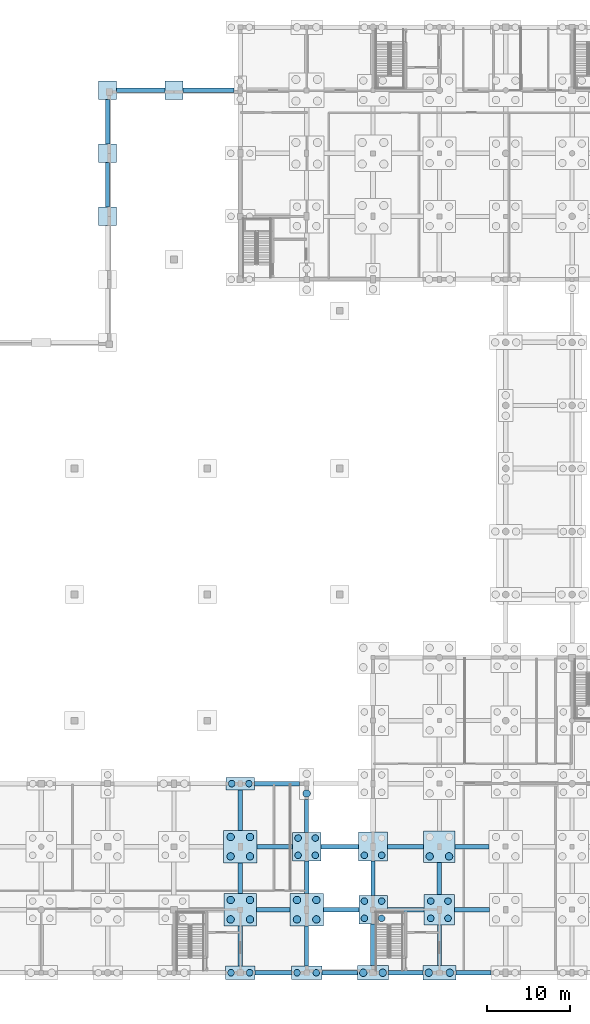
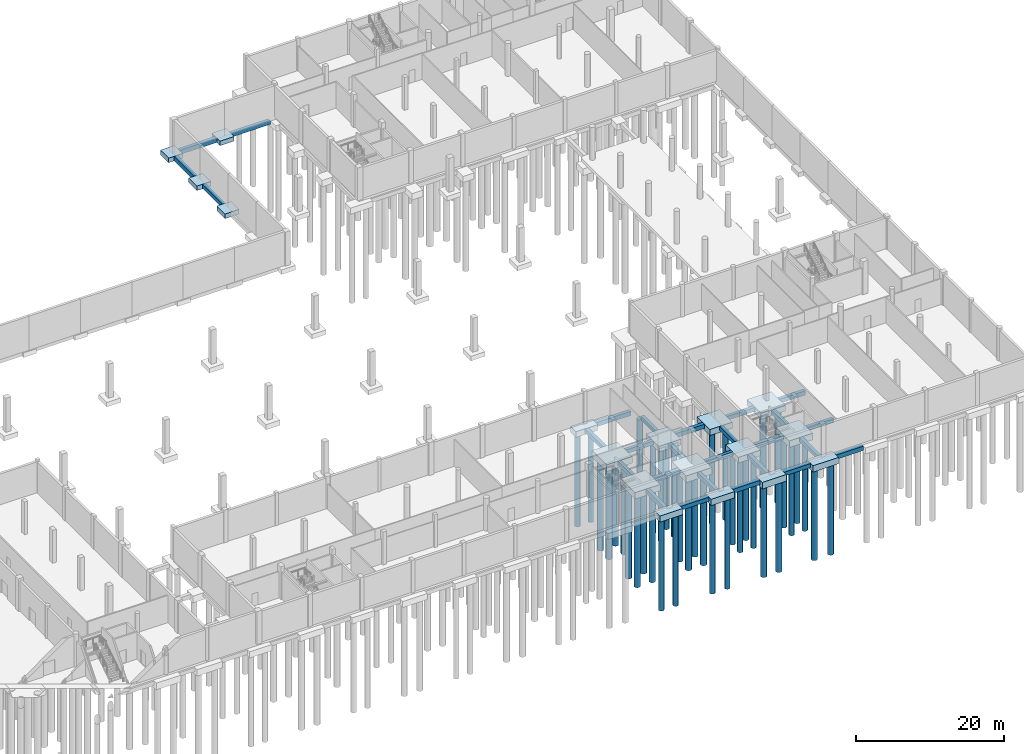
# One storey, part 11 of 44: 44 footings, 39 piles.
"""IFC4 building model written with IfcOpenShell, lengths in metres."""

import ifcopenshell
import ifcopenshell.guid

model = None  # the IFC model being written
_history = None  # IfcOwnerHistory: only IFC2X3 demands one
_inside = {}  # id of a spatial element -> (the spatial element, [elements in it])
_under = {}  # id of a project, library or spatial element -> (it, [spatial elements below it])
_declared = {}  # id of a project -> (the project, [libraries it declares])
_typed = {}  # id of a type object -> (the type object, [elements of that type])
_made_of = {}  # id of a material, layer set ... -> (it, [elements and type objects made of it])


def new_model(schema):
    """Start an empty IFC model of exactly this schema.

    Asked for "IFC4X3", IfcOpenShell would pick the latest addendum, in which some entities
    have other attributes; the version numbers below select the first issue.
    IFC2X3 requires an IfcOwnerHistory on every rooted entity: one is made here for all.
    """
    global model, _history
    if schema == "IFC4X3":
        model = ifcopenshell.file(schema_version=(4, 3, 0, 0))
    else:
        model = ifcopenshell.file(schema=schema)
    _inside.clear()
    _under.clear()
    _declared.clear()
    _typed.clear()
    _made_of.clear()
    _history = None
    if model.schema == "IFC2X3":
        org = make("IfcOrganization", Name="unknown")
        user = make(
            "IfcPersonAndOrganization",
            ThePerson=make("IfcPerson", FamilyName="unknown"),
            TheOrganization=org,
        )
        app = make(
            "IfcApplication",
            ApplicationDeveloper=org,
            Version="unknown",
            ApplicationFullName="unknown",
            ApplicationIdentifier="unknown",
        )
        _history = make(
            "IfcOwnerHistory",
            OwningUser=user,
            OwningApplication=app,
            ChangeAction="ADDED",
            CreationDate=0,
        )
    return model


def make(cls, **values):
    """One entity of the class cls with the attributes given. An attribute that is None is left unset."""
    return model.create_entity(
        cls, **{name: value for name, value in values.items() if value is not None}
    )


def rooted(cls, **values):
    """An entity with a GlobalId (a new one), such as an element, a storey or a relation."""
    return make(cls, GlobalId=ifcopenshell.guid.new(), OwnerHistory=_history, **values)


def si_unit(unit_type, name, prefix=None):
    """IfcSIUnit, for example si_unit("LENGTHUNIT", "METRE", prefix="MILLI")."""
    return make("IfcSIUnit", UnitType=unit_type, Prefix=prefix, Name=name)


def assignment(units):
    """IfcUnitAssignment: the units of a project."""
    return None if units is None else make("IfcUnitAssignment", Units=units)


def point(xyz):
    """IfcCartesianPoint."""
    return None if xyz is None else make("IfcCartesianPoint", Coordinates=xyz)


def direction(xyz):
    """IfcDirection."""
    return None if xyz is None else make("IfcDirection", DirectionRatios=xyz)


def frame(location, z_axis=None, x_axis=None):
    """IfcAxis2Placement3D, a coordinate frame: its origin and axes. An axis left out is left unset."""
    return make(
        "IfcAxis2Placement3D",
        Location=point(location),
        Axis=direction(z_axis),
        RefDirection=direction(x_axis),
    )


def frame_2d(location, x_axis=None):
    """IfcAxis2Placement2D, a coordinate frame in the plane: its origin and x axis."""
    return make(
        "IfcAxis2Placement2D", Location=point(location), RefDirection=direction(x_axis)
    )


def origin():
    """The frame at (0, 0, 0) with its axes left unset."""
    return frame((0.0, 0.0, 0.0))


def origin_2d():
    """The frame at (0, 0) in the plane with its x axis left unset."""
    return frame_2d((0.0, 0.0))


def place(relative_to, where):
    """IfcLocalPlacement: puts the frame where relative to a parent placement (None: the world)."""
    return make(
        "IfcLocalPlacement", PlacementRelTo=relative_to, RelativePlacement=where
    )


def context(
    kind, dimensions, precision=None, world=None, true_north=None, identifier=None
):
    """IfcGeometricRepresentationContext, for example the 3D "Model" context."""
    return make(
        "IfcGeometricRepresentationContext",
        ContextIdentifier=identifier,
        ContextType=kind,
        CoordinateSpaceDimension=dimensions,
        Precision=precision,
        WorldCoordinateSystem=world,
        TrueNorth=true_north,
    )


def subcontext(parent, identifier, kind, view, scale=None):
    """IfcGeometricRepresentationSubContext, for example "Body" below "Model"."""
    return make(
        "IfcGeometricRepresentationSubContext",
        ContextIdentifier=identifier,
        ContextType=kind,
        ParentContext=parent,
        TargetScale=scale,
        TargetView=view,
    )


def project(units=None, contexts=None):
    """IfcProject with its units and contexts."""
    return rooted(
        "IfcProject",
        Name="project",
        RepresentationContexts=contexts,
        UnitsInContext=assignment(units),
    )


def spatial(cls, under=None, at=None, **own):
    """A site, building, storey or space (cls), placed at a placement, below another one or the project."""
    s = rooted(cls, ObjectPlacement=at, **own)
    if under is not None:
        _under.setdefault(under.id(), (under, []))[1].append(s)
    return s


def polyline(points):
    """IfcPolyline through the points."""
    return make("IfcPolyline", Points=[point(p) for p in points])


def profile(cls, at=None, kind="AREA", **sizes):
    """A parametric profile (cls). Its sizes go by their IFC names, for example OverallWidth=200.0."""
    return make(cls, ProfileType=kind, Position=at, **sizes)


def circle(**sizes):
    """IfcCircleProfileDef."""
    return profile("IfcCircleProfileDef", **sizes)


def outline(outer, holes=None, kind="AREA"):
    """IfcArbitraryClosedProfileDef: a profile drawn as a closed curve; with holes, ...WithVoids."""
    if holes is None:
        return make("IfcArbitraryClosedProfileDef", ProfileType=kind, OuterCurve=outer)
    return make(
        "IfcArbitraryProfileDefWithVoids",
        ProfileType=kind,
        OuterCurve=outer,
        InnerCurves=holes,
    )


def extrude(swept, where, along, depth):
    """IfcExtrudedAreaSolid: the profile swept, set in the frame where, extruded along a direction by depth."""
    return make(
        "IfcExtrudedAreaSolid",
        SweptArea=swept,
        Position=where,
        ExtrudedDirection=direction(along),
        Depth=depth,
    )


def shape(context_of_items, identifier, shape_type, items):
    """IfcShapeRepresentation: the items that make up one representation, for example the "Body"."""
    return make(
        "IfcShapeRepresentation",
        ContextOfItems=context_of_items,
        RepresentationIdentifier=identifier,
        RepresentationType=shape_type,
        Items=items,
    )


def material(Name=None, Category=None):
    """IfcMaterial."""
    return make("IfcMaterial", Name=Name, Category=Category)


def material_profile(
    of_material, cross_section, Name=None, Category=None, Priority=None
):
    """IfcMaterialProfile: a cross section and its material."""
    return make(
        "IfcMaterialProfile",
        Name=Name,
        Material=of_material,
        Profile=cross_section,
        Priority=Priority,
        Category=Category,
    )


def profile_set(profiles, Name=None, composite=None):
    """IfcMaterialProfileSet."""
    return make(
        "IfcMaterialProfileSet",
        Name=Name,
        MaterialProfiles=profiles,
        CompositeProfile=composite,
    )


def made_of(thing, what):
    """Note that an element or type object is made of a material, layer set ...; save() writes the relation."""
    if what is not None:
        _made_of.setdefault(what.id(), (what, []))[1].append(thing)
    return thing


def type_object(cls, material=None, **own):
    """A type object (cls), such as IfcWallType, which elements share."""
    return made_of(rooted(cls, **own), material)


def element(
    cls,
    number,
    at=None,
    inside=None,
    cuts=None,
    type_object=None,
    material=None,
    context=None,
    identifier="Body",
    shape_type=None,
    held_by="IfcProductDefinitionShape",
    body=None,
    shapes=None,
    **own,
):
    """One element of the class cls, such as IfcWall. Its Tag is "e" and its number.

    at: its placement. inside: the storey or other place that contains it. cuts: it is an
    opening in that element (IfcRelVoidsElement). A single representation is given by context,
    identifier, shape_type and body (its items); several are given by shapes. held_by: the class
    of the entity that holds the representations. save() writes the other relations.
    """
    e = rooted(cls, Tag="e%d" % number, ObjectPlacement=at, **own)
    if body is not None:
        shapes = [shape(context, identifier, shape_type, body)]
    if shapes is not None:
        e.Representation = make(held_by, Representations=shapes)
    if inside is not None:
        _inside.setdefault(inside.id(), (inside, []))[1].append(e)
    if cuts is not None:
        rooted(
            "IfcRelVoidsElement", RelatingBuildingElement=cuts, RelatedOpeningElement=e
        )
    if type_object is not None:
        _typed.setdefault(type_object.id(), (type_object, []))[1].append(e)
    return made_of(e, material)


def aggregate(whole, parts):
    """IfcRelAggregates: a whole, such as a stair, and the parts it consists of."""
    return rooted("IfcRelAggregates", RelatingObject=whole, RelatedObjects=parts)


def save(model, path):
    """Write the relations noted so far, then the file.

    IfcRelAggregates (storeys below a building ...), IfcRelContainedInSpatialStructure (elements
    in a storey), IfcRelDefinesByType, IfcRelAssociatesMaterial and IfcRelDeclares: one each for
    every whole, place, type object, material and project.
    """
    for whole, parts in _under.values():
        aggregate(whole, parts)
    for where, things in _inside.values():
        rooted(
            "IfcRelContainedInSpatialStructure",
            RelatedElements=things,
            RelatingStructure=where,
        )
    for kind, things in _typed.values():
        rooted("IfcRelDefinesByType", RelatedObjects=things, RelatingType=kind)
    for what, things in _made_of.values():
        rooted("IfcRelAssociatesMaterial", RelatedObjects=things, RelatingMaterial=what)
    for by, libraries in _declared.values():
        rooted("IfcRelDeclares", RelatingContext=by, RelatedDefinitions=libraries)
    model.write(path)


model = new_model("IFC4")

# Units and contexts
model_context = context("Model", 3, precision=1e-05, world=origin(), true_north=direction((0.0, 1.0)))
body_context = subcontext(model_context, "Body", "Model", "MODEL_VIEW")
ifc_project = project(units=[si_unit("LENGTHUNIT", "METRE"), si_unit("AREAUNIT", "SQUARE_METRE"), si_unit("VOLUMEUNIT", "CUBIC_METRE"), si_unit("PLANEANGLEUNIT", "RADIAN"), si_unit("MASSUNIT", "GRAM", prefix="KILO")], contexts=[model_context])

# Site, building, storey
site_placement = place(None, origin())
site = spatial("IfcSite", under=ifc_project, at=site_placement, CompositionType="ELEMENT")
building_placement = place(site_placement, origin())
building = spatial("IfcBuilding", under=site, at=building_placement, Name="Khelvaren Railside Concert Hall", CompositionType="ELEMENT")
storey_placement = place(building_placement, frame((0.0, 0.0, -5.39990234375)))
storey = spatial("IfcBuildingStorey", under=building, at=storey_placement, Name="B1", CompositionType="ELEMENT", Elevation=-5.39990234375)

# Piles
ifc_material = material(Name="Concrete C35/45", Category="concrete")
ifc_material_profile_1 = material_profile(ifc_material, circle(Radius=0.449951171875, at=origin_2d()), Name="BP D900")
ifc_profile_set_1 = profile_set([ifc_material_profile_1], Name="Concrete C35/45")
pile_type_1 = type_object("IfcPileType", Name="BP51", PredefinedType="BORED", material=ifc_profile_set_1)
for number, where, z_axis, x_axis, name in (
    (1, (126.830078125, 6.429931640625, -1.4501953125), (0.0, 0.0, -1.0), (1.0, 0.0, 0.0), "Bored Pile BP51 PC-V3-142-1"),
    (2, (129.169921875, 6.429931640625, -1.4501953125), (0.0, 0.0, -1.0), (1.0, 0.0, 0.0), "Bored Pile BP51 PC-V3-142-2"),
    (3, (126.830078125, 8.77001953125, -1.4501953125), (0.0, 0.0, -1.0), (1.0, 0.0, 0.0), "Bored Pile BP51 PC-V3-142-3"),
    (4, (129.169921875, 8.77001953125, -1.4501953125), (0.0, 0.0, -1.0), (1.0, 0.0, 0.0), "Bored Pile BP51 PC-V3-142-4"),
):
    element("IfcPile", number, at=place(storey_placement, frame(where, z_axis=z_axis, x_axis=x_axis)), inside=storey, type_object=pile_type_1, Name=name, PredefinedType="BORED", context=body_context, shape_type="SweptSolid", body=[
        extrude(circle(Radius=0.449951171875, at=origin_2d()), origin(), (0.0, 0.0, 1.0), 15.14990234375),
    ])
for number, where, z_axis, x_axis, name in (
    (5, (126.830078125, 14.030029296875, -1.5), (0.0, 0.0, -1.0), (1.0, 0.0, 0.0), "Bored Pile BP51 PC-V3-143-1"),
    (6, (129.169921875, 14.030029296875, -1.5), (0.0, 0.0, -1.0), (1.0, 0.0, 0.0), "Bored Pile BP51 PC-V3-143-2"),
    (7, (126.830078125, 16.3701171875, -1.5), (0.0, 0.0, -1.0), (1.0, 0.0, 0.0), "Bored Pile BP51 PC-V3-143-3"),
    (8, (129.169921875, 16.3701171875, -1.5), (0.0, 0.0, -1.0), (1.0, 0.0, 0.0), "Bored Pile BP51 PC-V3-143-4"),
    (9, (134.830078125, 6.429931640625, -1.5), (0.0, 0.0, -1.0), (1.0, 0.0, 0.0), "Bored Pile BP51 PC-V3-151-1"),
    (10, (137.169921875, 6.429931640625, -1.5), (0.0, 0.0, -1.0), (1.0, 0.0, 0.0), "Bored Pile BP51 PC-V3-151-2"),
    (11, (134.830078125, 8.77001953125, -1.5), (0.0, 0.0, -1.0), (1.0, 0.0, 0.0), "Bored Pile BP51 PC-V3-151-3"),
    (12, (137.169921875, 8.77001953125, -1.5), (0.0, 0.0, -1.0), (1.0, 0.0, 0.0), "Bored Pile BP51 PC-V3-151-4"),
):
    element("IfcPile", number, at=place(storey_placement, frame(where, z_axis=z_axis, x_axis=x_axis)), inside=storey, type_object=pile_type_1, Name=name, PredefinedType="BORED", context=body_context, shape_type="SweptSolid", body=[
        extrude(circle(Radius=0.449951171875, at=origin_2d()), origin(), (0.0, 0.0, 1.0), 15.10009765625),
    ])
pile_placement = place(storey_placement, frame((136.0, 21.610107421875, -1.400146484375), z_axis=(0.0, 0.0, -1.0), x_axis=(1.0, 0.0, 0.0)))
element("IfcPile", 13, at=pile_placement, inside=storey, type_object=pile_type_1, Name="Bored Pile BP51 PC-V3-153-1", PredefinedType="BORED", context=body_context, shape_type="SweptSolid", body=[
    extrude(circle(Radius=0.449951171875, at=origin_2d()), origin(), (0.0, 0.0, 1.0), 15.199951171875),
])
for number, where, z_axis, x_axis, name in (
    (14, (142.830078125, 0.0, -1.5), (0.0, 0.0, -1.0), (1.0, 0.0, 0.0), "Bored Pile BP51 PC-V2-159-1"),
    (15, (145.169921875, 0.0, -1.5), (0.0, 0.0, -1.0), (1.0, 0.0, 0.0), "Bored Pile BP51 PC-V2-159-2"),
):
    element("IfcPile", number, at=place(storey_placement, frame(where, z_axis=z_axis, x_axis=x_axis)), inside=storey, type_object=pile_type_1, Name=name, PredefinedType="BORED", context=body_context, shape_type="SweptSolid", body=[
        extrude(circle(Radius=0.449951171875, at=origin_2d()), origin(), (0.0, 0.0, 1.0), 15.10009765625),
    ])
for number, where, z_axis, x_axis, name in (
    (16, (150.72998046875, 0.0, -1.4501953125), (0.0, 0.0, -1.0), (1.0, 0.0, 0.0), "Bored Pile BP51 PC-V2-170-1"),
    (17, (153.27001953125, 0.0, -1.4501953125), (0.0, 0.0, -1.0), (1.0, 0.0, 0.0), "Bored Pile BP51 PC-V2-170-2"),
):
    element("IfcPile", number, at=place(storey_placement, frame(where, z_axis=z_axis, x_axis=x_axis)), inside=storey, type_object=pile_type_1, Name=name, PredefinedType="BORED", context=body_context, shape_type="SweptSolid", body=[
        extrude(circle(Radius=0.449951171875, at=origin_2d()), origin(), (0.0, 0.0, 1.0), 15.14990234375),
    ])
for number, where, z_axis, x_axis, name in (
    (18, (150.830078125, 14.030029296875, -1.35009765625), (0.0, 0.0, -1.0), (1.0, 0.0, 0.0), "Bored Pile BP51 PC-V2-172-1"),
    (19, (153.169921875, 14.030029296875, -1.35009765625), (0.0, 0.0, -1.0), (1.0, 0.0, 0.0), "Bored Pile BP51 PC-V2-172-2"),
):
    element("IfcPile", number, at=place(storey_placement, frame(where, z_axis=z_axis, x_axis=x_axis)), inside=storey, type_object=pile_type_1, Name=name, PredefinedType="BORED", context=body_context, shape_type="SweptSolid", body=[
        extrude(circle(Radius=0.449951171875, at=origin_2d()), origin(), (0.0, 0.0, 1.0), 15.25),
    ])
ifc_material_profile_2 = material_profile(ifc_material, circle(Radius=0.39990234375, at=origin_2d()), Name="BP D800")
ifc_profile_set_2 = profile_set([ifc_material_profile_2], Name="Concrete C35/45")
pile_type_2 = type_object("IfcPileType", Name="BP84", PredefinedType="BORED", material=ifc_profile_set_2)
for number, where, z_axis, x_axis, name in (
    (20, (126.8798828125, 0.0, -1.400146484375), (0.0, 0.0, -1.0), (1.0, 0.0, 0.0), "Bored Pile BP84 PC-V3-141-1"),
    (21, (129.1201171875, 0.0, -1.400146484375), (0.0, 0.0, -1.0), (1.0, 0.0, 0.0), "Bored Pile BP84 PC-V3-141-2"),
):
    element("IfcPile", number, at=place(storey_placement, frame(where, z_axis=z_axis, x_axis=x_axis)), inside=storey, type_object=pile_type_2, Name=name, PredefinedType="BORED", context=body_context, shape_type="SweptSolid", body=[
        extrude(circle(Radius=0.39990234375, at=origin_2d()), origin(), (0.0, 0.0, 1.0), 15.199951171875),
    ])
for number, where, z_axis, x_axis, name in (
    (22, (126.9599609375, 22.800048828125, -1.35009765625), (0.0, 0.0, -1.0), (1.0, 0.0, 0.0), "Bored Pile BP84 PC-V3-144-1"),
    (23, (129.0400390625, 22.800048828125, -1.35009765625), (0.0, 0.0, -1.0), (1.0, 0.0, 0.0), "Bored Pile BP84 PC-V3-144-2"),
):
    element("IfcPile", number, at=place(storey_placement, frame(where, z_axis=z_axis, x_axis=x_axis)), inside=storey, type_object=pile_type_2, Name=name, PredefinedType="BORED", context=body_context, shape_type="SweptSolid", body=[
        extrude(circle(Radius=0.39990234375, at=origin_2d()), origin(), (0.0, 0.0, 1.0), 15.25),
    ])
for number, where, z_axis, x_axis, name in (
    (24, (134.840087890625, 0.0, -1.4501953125), (0.0, 0.0, -1.0), (1.0, 0.0, 0.0), "Bored Pile BP84 PC-V3-150-1"),
    (25, (137.159912109375, 0.0, -1.4501953125), (0.0, 0.0, -1.0), (1.0, 0.0, 0.0), "Bored Pile BP84 PC-V3-150-2"),
):
    element("IfcPile", number, at=place(storey_placement, frame(where, z_axis=z_axis, x_axis=x_axis)), inside=storey, type_object=pile_type_2, Name=name, PredefinedType="BORED", context=body_context, shape_type="SweptSolid", body=[
        extrude(circle(Radius=0.39990234375, at=origin_2d()), origin(), (0.0, 0.0, 1.0), 15.14990234375),
    ])
for number, where, z_axis, x_axis, name in (
    (26, (134.9599609375, 14.159912109375, -1.35009765625), (0.0, 0.0, -1.0), (1.0, 0.0, 0.0), "Bored Pile BP84 PC-V3-152-1"),
    (27, (137.0400390625, 14.159912109375, -1.35009765625), (0.0, 0.0, -1.0), (1.0, 0.0, 0.0), "Bored Pile BP84 PC-V3-152-2"),
    (28, (134.9599609375, 16.239990234375, -1.35009765625), (0.0, 0.0, -1.0), (1.0, 0.0, 0.0), "Bored Pile BP84 PC-V3-152-3"),
    (29, (137.0400390625, 16.239990234375, -1.35009765625), (0.0, 0.0, -1.0), (1.0, 0.0, 0.0), "Bored Pile BP84 PC-V3-152-4"),
    (30, (142.9599609375, 6.56005859375, -1.35009765625), (0.0, 0.0, -1.0), (1.0, 0.0, 0.0), "Bored Pile BP84 PC-V2-160-1"),
    (31, (145.0400390625, 6.56005859375, -1.35009765625), (0.0, 0.0, -1.0), (1.0, 0.0, 0.0), "Bored Pile BP84 PC-V2-160-2"),
    (32, (142.9599609375, 8.639892578125, -1.35009765625), (0.0, 0.0, -1.0), (1.0, 0.0, 0.0), "Bored Pile BP84 PC-V2-160-3"),
    (33, (145.0400390625, 8.639892578125, -1.35009765625), (0.0, 0.0, -1.0), (1.0, 0.0, 0.0), "Bored Pile BP84 PC-V2-160-4"),
):
    element("IfcPile", number, at=place(storey_placement, frame(where, z_axis=z_axis, x_axis=x_axis)), inside=storey, type_object=pile_type_2, Name=name, PredefinedType="BORED", context=body_context, shape_type="SweptSolid", body=[
        extrude(circle(Radius=0.39990234375, at=origin_2d()), origin(), (0.0, 0.0, 1.0), 15.25),
    ])
for number, where, z_axis, x_axis, name in (
    (34, (142.9599609375, 14.159912109375, -1.400146484375), (0.0, 0.0, -1.0), (1.0, 0.0, 0.0), "Bored Pile BP84 PC-V2-161-1"),
    (35, (145.0400390625, 14.159912109375, -1.400146484375), (0.0, 0.0, -1.0), (1.0, 0.0, 0.0), "Bored Pile BP84 PC-V2-161-2"),
):
    element("IfcPile", number, at=place(storey_placement, frame(where, z_axis=z_axis, x_axis=x_axis)), inside=storey, type_object=pile_type_2, Name=name, PredefinedType="BORED", context=body_context, shape_type="SweptSolid", body=[
        extrude(circle(Radius=0.39990234375, at=origin_2d()), origin(), (0.0, 0.0, 1.0), 15.199951171875),
    ])
for number, where, z_axis, x_axis, name in (
    (36, (150.9599609375, 6.56005859375, -1.5), (0.0, 0.0, -1.0), (1.0, 0.0, 0.0), "Bored Pile BP84 PC-V2-171-1"),
    (37, (153.0400390625, 6.56005859375, -1.5), (0.0, 0.0, -1.0), (1.0, 0.0, 0.0), "Bored Pile BP84 PC-V2-171-2"),
    (38, (150.9599609375, 8.639892578125, -1.5), (0.0, 0.0, -1.0), (1.0, 0.0, 0.0), "Bored Pile BP84 PC-V2-171-3"),
    (39, (153.0400390625, 8.639892578125, -1.5), (0.0, 0.0, -1.0), (1.0, 0.0, 0.0), "Bored Pile BP84 PC-V2-171-4"),
):
    element("IfcPile", number, at=place(storey_placement, frame(where, z_axis=z_axis, x_axis=x_axis)), inside=storey, type_object=pile_type_2, Name=name, PredefinedType="BORED", context=body_context, shape_type="SweptSolid", body=[
        extrude(circle(Radius=0.39990234375, at=origin_2d()), origin(), (0.0, 0.0, 1.0), 15.10009765625),
    ])

# Footings
footing_type_1 = type_object("IfcFootingType", Name="GB49", PredefinedType="FOOTING_BEAM", material=ifc_material)
footing_1_placement = place(storey_placement, frame((0.0, 0.0, -1.150146484375)))
element("IfcFooting", 40, at=footing_1_placement, inside=storey, type_object=footing_type_1, Name="Ground Tie Beam GB49 17", PredefinedType="FOOTING_BEAM", context=body_context, shape_type="SweptSolid", body=[
    extrude(outline(polyline([(129.780029296875, -0.25), (134.179931640625, -0.25), (134.179931640625, 0.25), (129.780029296875, 0.25), (129.780029296875, -0.25)])), origin(), (0.0, 0.0, 1.0), 0.650146484375),
])
footing_2_placement = place(storey_placement, frame((0.0, 0.0, -1.150146484375)))
element("IfcFooting", 41, at=footing_2_placement, inside=storey, type_object=footing_type_1, Name="Ground Tie Beam GB49 19", PredefinedType="FOOTING_BEAM", context=body_context, shape_type="SweptSolid", body=[
    extrude(outline(polyline([(145.8798828125, -0.25), (150.02001953125, -0.25), (150.02001953125, 0.25), (145.8798828125, 0.25), (145.8798828125, -0.25)])), origin(), (0.0, 0.0, 1.0), 0.650146484375),
])
footing_3_placement = place(storey_placement, frame((0.0, 0.0, -1.150146484375)))
element("IfcFooting", 42, at=footing_3_placement, inside=storey, type_object=footing_type_1, Name="Ground Tie Beam GB49 41", PredefinedType="FOOTING_BEAM", context=body_context, shape_type="SweptSolid", body=[
    extrude(outline(polyline([(138.0, 7.35009765625), (142.280029296875, 7.35009765625), (142.280029296875, 7.85009765625), (138.0, 7.85009765625), (138.0, 7.35009765625)])), origin(), (0.0, 0.0, 1.0), 0.650146484375),
])
footing_4_placement = place(storey_placement, frame((0.0, 0.0, -1.150146484375)))
element("IfcFooting", 43, at=footing_4_placement, inside=storey, type_object=footing_type_1, Name="Ground Tie Beam GB49 43", PredefinedType="FOOTING_BEAM", context=body_context, shape_type="SweptSolid", body=[
    extrude(outline(polyline([(153.840087890625, 7.35009765625), (158.02001953125, 7.35009765625), (158.02001953125, 7.85009765625), (153.840087890625, 7.85009765625), (153.840087890625, 7.35009765625)])), origin(), (0.0, 0.0, 1.0), 0.650146484375),
])
footing_5_placement = place(storey_placement, frame((0.0, 0.0, -1.150146484375)))
element("IfcFooting", 44, at=footing_5_placement, inside=storey, type_object=footing_type_1, Name="Ground Tie Beam GB49 63", PredefinedType="FOOTING_BEAM", context=body_context, shape_type="SweptSolid", body=[
    extrude(outline(polyline([(130.0, 14.949951171875), (134.280029296875, 14.949951171875), (134.280029296875, 15.449951171875), (130.0, 15.449951171875), (130.0, 14.949951171875)])), origin(), (0.0, 0.0, 1.0), 0.650146484375),
])
footing_6_placement = place(storey_placement, frame((0.0, 0.0, -1.150146484375)))
element("IfcFooting", 45, at=footing_6_placement, inside=storey, type_object=footing_type_1, Name="Ground Tie Beam GB49 65", PredefinedType="FOOTING_BEAM", context=body_context, shape_type="SweptSolid", body=[
    extrude(outline(polyline([(145.760009765625, 14.949951171875), (150.10009765625, 14.949951171875), (150.10009765625, 15.449951171875), (145.760009765625, 15.449951171875), (145.760009765625, 14.949951171875)])), origin(), (0.0, 0.0, 1.0), 0.650146484375),
])
footing_7_placement = place(storey_placement, frame((0.0, 0.0, -1.150146484375)))
element("IfcFooting", 46, at=footing_7_placement, inside=storey, type_object=footing_type_1, Name="Ground Tie Beam GB49 329", PredefinedType="FOOTING_BEAM", context=body_context, shape_type="SweptSolid", body=[
    extrude(outline(polyline([(127.75, 9.56005859375), (128.25, 9.56005859375), (128.25, 13.219970703125), (127.75, 13.219970703125), (127.75, 9.56005859375)])), origin(), (0.0, 0.0, 1.0), 0.650146484375),
])
footing_8_placement = place(storey_placement, frame((0.0, 0.0, -1.150146484375)))
element("IfcFooting", 47, at=footing_8_placement, inside=storey, type_object=footing_type_1, Name="Ground Tie Beam GB49 335", PredefinedType="FOOTING_BEAM", context=body_context, shape_type="SweptSolid", body=[
    extrude(outline(polyline([(135.75, 0.824951171875), (136.25, 0.824951171875), (136.25, 5.6201171875), (135.75, 5.6201171875), (135.75, 0.824951171875)])), origin(), (0.0, 0.0, 1.0), 0.650146484375),
])
footing_9_placement = place(storey_placement, frame((0.0, 0.0, -1.150146484375)))
element("IfcFooting", 48, at=footing_9_placement, inside=storey, type_object=footing_type_1, Name="Ground Tie Beam GB49 337", PredefinedType="FOOTING_BEAM", context=body_context, shape_type="SweptSolid", body=[
    extrude(outline(polyline([(135.75, 16.919921875), (136.25, 16.919921875), (136.25, 20.89990234375), (135.75, 20.89990234375), (135.75, 16.919921875)])), origin(), (0.0, 0.0, 1.0), 0.650146484375),
])
footing_10_placement = place(storey_placement, frame((0.0, 0.0, -1.150146484375)))
element("IfcFooting", 49, at=footing_10_placement, inside=storey, type_object=footing_type_1, Name="Ground Tie Beam GB49 343", PredefinedType="FOOTING_BEAM", context=body_context, shape_type="SweptSolid", body=[
    extrude(outline(polyline([(143.75, 9.320068359375), (144.25, 9.320068359375), (144.25, 13.4599609375), (143.75, 13.4599609375), (143.75, 9.320068359375)])), origin(), (0.0, 0.0, 1.0), 0.650146484375),
])
footing_11_placement = place(storey_placement, frame((0.0, 0.0, -1.150146484375)))
element("IfcFooting", 50, at=footing_11_placement, inside=storey, type_object=footing_type_1, Name="Ground Tie Beam GB49 351", PredefinedType="FOOTING_BEAM", context=body_context, shape_type="SweptSolid", body=[
    extrude(outline(polyline([(151.75, 0.875), (152.25, 0.875), (152.25, 5.780029296875), (151.75, 5.780029296875), (151.75, 0.875)])), origin(), (0.0, 0.0, 1.0), 0.650146484375),
])
footing_12_placement = place(storey_placement, frame((0.0, 0.0, -1.150146484375)))
element("IfcFooting", 51, at=footing_12_placement, inside=storey, type_object=footing_type_1, Name="Ground Tie Beam GB49 417", PredefinedType="FOOTING_BEAM", context=body_context, shape_type="SweptSolid", body=[
    extrude(outline(polyline([(121.10009765625, 106.14990234375), (127.22509765625, 106.14990234375), (127.22509765625, 106.64990234375), (121.10009765625, 106.64990234375), (121.10009765625, 106.14990234375)])), origin(), (0.0, 0.0, 1.0), 0.650146484375),
])
footing_13_placement = place(storey_placement, frame((0.0, 0.0, -1.150146484375)))
element("IfcFooting", 52, at=footing_13_placement, inside=storey, type_object=footing_type_1, Name="Ground Tie Beam GB49 423", PredefinedType="FOOTING_BEAM", context=body_context, shape_type="SweptSolid", body=[
    extrude(outline(polyline([(111.75, 92.300048828125), (112.25, 92.300048828125), (112.25, 97.699951171875), (111.75, 97.699951171875), (111.75, 92.300048828125)])), origin(), (0.0, 0.0, 1.0), 0.650146484375),
])
footing_type_2 = type_object("IfcFootingType", Name="GB57", PredefinedType="FOOTING_BEAM", material=ifc_material)
footing_14_placement = place(storey_placement, frame((0.0, 0.0, -1.2001953125)))
element("IfcFooting", 53, at=footing_14_placement, inside=storey, type_object=footing_type_2, Name="Ground Tie Beam GB57 18", PredefinedType="FOOTING_BEAM", context=body_context, shape_type="SweptSolid", body=[
    extrude(outline(polyline([(137.820068359375, -0.27490234375), (142.1201171875, -0.27490234375), (142.1201171875, 0.27490234375), (137.820068359375, 0.27490234375), (137.820068359375, -0.27490234375)])), origin(), (0.0, 0.0, 1.0), 0.7001953125),
])
footing_15_placement = place(storey_placement, frame((0.0, 0.0, -1.2001953125)))
element("IfcFooting", 54, at=footing_15_placement, inside=storey, type_object=footing_type_2, Name="Ground Tie Beam GB57 20", PredefinedType="FOOTING_BEAM", context=body_context, shape_type="SweptSolid", body=[
    extrude(outline(polyline([(153.97998046875, -0.27490234375), (158.219970703125, -0.27490234375), (158.219970703125, 0.27490234375), (153.97998046875, 0.27490234375), (153.97998046875, -0.27490234375)])), origin(), (0.0, 0.0, 1.0), 0.7001953125),
])
footing_16_placement = place(storey_placement, frame((0.0, 0.0, -1.2001953125)))
element("IfcFooting", 55, at=footing_16_placement, inside=storey, type_object=footing_type_2, Name="Ground Tie Beam GB57 40", PredefinedType="FOOTING_BEAM", context=body_context, shape_type="SweptSolid", body=[
    extrude(outline(polyline([(129.97998046875, 7.324951171875), (134.0, 7.324951171875), (134.0, 7.875), (129.97998046875, 7.875), (129.97998046875, 7.324951171875)])), origin(), (0.0, 0.0, 1.0), 0.7001953125),
])
footing_17_placement = place(storey_placement, frame((0.0, 0.0, -1.2001953125)))
element("IfcFooting", 56, at=footing_17_placement, inside=storey, type_object=footing_type_2, Name="Ground Tie Beam GB57 42", PredefinedType="FOOTING_BEAM", context=body_context, shape_type="SweptSolid", body=[
    extrude(outline(polyline([(145.719970703125, 7.324951171875), (150.159912109375, 7.324951171875), (150.159912109375, 7.875), (145.719970703125, 7.875), (145.719970703125, 7.324951171875)])), origin(), (0.0, 0.0, 1.0), 0.7001953125),
])
footing_18_placement = place(storey_placement, frame((0.0, 0.0, -1.2001953125)))
element("IfcFooting", 57, at=footing_18_placement, inside=storey, type_object=footing_type_2, Name="Ground Tie Beam GB57 64", PredefinedType="FOOTING_BEAM", context=body_context, shape_type="SweptSolid", body=[
    extrude(outline(polyline([(137.719970703125, 14.925048828125), (142.239990234375, 14.925048828125), (142.239990234375, 15.47509765625), (137.719970703125, 15.47509765625), (137.719970703125, 14.925048828125)])), origin(), (0.0, 0.0, 1.0), 0.7001953125),
])
footing_19_placement = place(storey_placement, frame((0.0, 0.0, -1.2001953125)))
element("IfcFooting", 58, at=footing_19_placement, inside=storey, type_object=footing_type_2, Name="Ground Tie Beam GB57 66", PredefinedType="FOOTING_BEAM", context=body_context, shape_type="SweptSolid", body=[
    extrude(outline(polyline([(153.89990234375, 14.925048828125), (158.0, 14.925048828125), (158.0, 15.47509765625), (153.89990234375, 15.47509765625), (153.89990234375, 14.925048828125)])), origin(), (0.0, 0.0, 1.0), 0.7001953125),
])
footing_20_placement = place(storey_placement, frame((0.0, 0.0, -1.2001953125)))
element("IfcFooting", 59, at=footing_20_placement, inside=storey, type_object=footing_type_2, Name="Ground Tie Beam GB57 86", PredefinedType="FOOTING_BEAM", context=body_context, shape_type="SweptSolid", body=[
    extrude(outline(polyline([(129.699951171875, 22.52490234375), (135.14990234375, 22.52490234375), (135.14990234375, 23.074951171875), (129.699951171875, 23.074951171875), (129.699951171875, 22.52490234375)])), origin(), (0.0, 0.0, 1.0), 0.7001953125),
])
footing_21_placement = place(storey_placement, frame((0.0, 0.0, -1.2001953125)))
element("IfcFooting", 60, at=footing_21_placement, inside=storey, type_object=footing_type_2, Name="Ground Tie Beam GB57 328", PredefinedType="FOOTING_BEAM", context=body_context, shape_type="SweptSolid", body=[
    extrude(outline(polyline([(127.72509765625, 0.800048828125), (128.27490234375, 0.800048828125), (128.27490234375, 5.639892578125), (127.72509765625, 5.639892578125), (127.72509765625, 0.800048828125)])), origin(), (0.0, 0.0, 1.0), 0.7001953125),
])
footing_22_placement = place(storey_placement, frame((0.0, 0.0, -1.2001953125)))
element("IfcFooting", 61, at=footing_22_placement, inside=storey, type_object=footing_type_2, Name="Ground Tie Beam GB57 330", PredefinedType="FOOTING_BEAM", context=body_context, shape_type="SweptSolid", body=[
    extrude(outline(polyline([(127.72509765625, 17.179931640625), (128.27490234375, 17.179931640625), (128.27490234375, 22.050048828125), (127.72509765625, 22.050048828125), (127.72509765625, 17.179931640625)])), origin(), (0.0, 0.0, 1.0), 0.7001953125),
])
footing_23_placement = place(storey_placement, frame((0.0, 0.0, -1.2001953125)))
element("IfcFooting", 62, at=footing_23_placement, inside=storey, type_object=footing_type_2, Name="Ground Tie Beam GB57 336", PredefinedType="FOOTING_BEAM", context=body_context, shape_type="SweptSolid", body=[
    extrude(outline(polyline([(135.72509765625, 9.580078125), (136.27490234375, 9.580078125), (136.27490234375, 13.47998046875), (135.72509765625, 13.47998046875), (135.72509765625, 9.580078125)])), origin(), (0.0, 0.0, 1.0), 0.7001953125),
])
footing_24_placement = place(storey_placement, frame((0.0, 0.0, -1.2001953125)))
element("IfcFooting", 63, at=footing_24_placement, inside=storey, type_object=footing_type_2, Name="Ground Tie Beam GB57 342", PredefinedType="FOOTING_BEAM", context=body_context, shape_type="SweptSolid", body=[
    extrude(outline(polyline([(143.72509765625, 0.85009765625), (144.27490234375, 0.85009765625), (144.27490234375, 5.8798828125), (143.72509765625, 5.8798828125), (143.72509765625, 0.85009765625)])), origin(), (0.0, 0.0, 1.0), 0.7001953125),
])
footing_25_placement = place(storey_placement, frame((0.0, 0.0, -1.2001953125)))
element("IfcFooting", 64, at=footing_25_placement, inside=storey, type_object=footing_type_2, Name="Ground Tie Beam GB57 352", PredefinedType="FOOTING_BEAM", context=body_context, shape_type="SweptSolid", body=[
    extrude(outline(polyline([(151.72509765625, 9.419921875), (152.27490234375, 9.419921875), (152.27490234375, 13.300048828125), (151.72509765625, 13.300048828125), (151.72509765625, 9.419921875)])), origin(), (0.0, 0.0, 1.0), 0.7001953125),
])
footing_26_placement = place(storey_placement, frame((0.0, 0.0, -1.2001953125)))
element("IfcFooting", 65, at=footing_26_placement, inside=storey, type_object=footing_type_2, Name="Ground Tie Beam GB57 416", PredefinedType="FOOTING_BEAM", context=body_context, shape_type="SweptSolid", body=[
    extrude(outline(polyline([(113.10009765625, 106.125), (118.89990234375, 106.125), (118.89990234375, 106.675048828125), (113.10009765625, 106.675048828125), (113.10009765625, 106.125)])), origin(), (0.0, 0.0, 1.0), 0.7001953125),
])
footing_27_placement = place(storey_placement, frame((0.0, 0.0, -1.2001953125)))
element("IfcFooting", 66, at=footing_27_placement, inside=storey, type_object=footing_type_2, Name="Ground Tie Beam GB57 424", PredefinedType="FOOTING_BEAM", context=body_context, shape_type="SweptSolid", body=[
    extrude(outline(polyline([(111.72509765625, 99.89990234375), (112.27490234375, 99.89990234375), (112.27490234375, 105.300048828125), (111.72509765625, 105.300048828125), (111.72509765625, 99.89990234375)])), origin(), (0.0, 0.0, 1.0), 0.7001953125),
])
footing_type_3 = type_object("IfcFootingType", Name="PC13", PredefinedType="PILE_CAP", material=ifc_material)
footing_28_placement = place(storey_placement, frame((0.0, 0.0, -1.550048828125)))
element("IfcFooting", 67, at=footing_28_placement, inside=storey, type_object=footing_type_3, Name="Pile Cap PC13 (128.0,7.6)", PredefinedType="PILE_CAP", context=body_context, shape_type="SweptSolid", body=[
    extrude(outline(polyline([(126.02001953125, 5.639892578125), (129.97998046875, 5.639892578125), (129.97998046875, 9.56005859375), (126.02001953125, 9.56005859375), (126.02001953125, 5.639892578125)])), origin(), (0.0, 0.0, 1.0), 1.050048828125),
])
footing_type_4 = type_object("IfcFootingType", Name="PC31", PredefinedType="PILE_CAP", material=ifc_material)
footing_29_placement = place(storey_placement, frame((0.0, 0.0, -1.4501953125)))
element("IfcFooting", 68, at=footing_29_placement, inside=storey, type_object=footing_type_4, Name="Pile Cap PC31 (152.0,15.2)", PredefinedType="PILE_CAP", context=body_context, shape_type="SweptSolid", body=[
    extrude(outline(polyline([(150.10009765625, 13.300048828125), (153.89990234375, 13.300048828125), (153.89990234375, 17.10009765625), (150.10009765625, 17.10009765625), (150.10009765625, 13.300048828125)])), origin(), (0.0, 0.0, 1.0), 0.9501953125),
])
footing_type_5 = type_object("IfcFootingType", Name="PC36", PredefinedType="PILE_CAP", material=ifc_material)
footing_30_placement = place(storey_placement, frame((0.0, 0.0, -1.4501953125)))
element("IfcFooting", 69, at=footing_30_placement, inside=storey, type_object=footing_type_5, Name="Pile Cap PC36 (136.0,15.2)", PredefinedType="PILE_CAP", context=body_context, shape_type="SweptSolid", body=[
    extrude(outline(polyline([(134.280029296875, 13.47998046875), (137.719970703125, 13.47998046875), (137.719970703125, 16.919921875), (134.280029296875, 16.919921875), (134.280029296875, 13.47998046875)])), origin(), (0.0, 0.0, 1.0), 0.9501953125),
])
footing_31_placement = place(storey_placement, frame((0.0, 0.0, -1.4501953125)))
element("IfcFooting", 70, at=footing_31_placement, inside=storey, type_object=footing_type_5, Name="Pile Cap PC36 (144.0,7.6)", PredefinedType="PILE_CAP", context=body_context, shape_type="SweptSolid", body=[
    extrude(outline(polyline([(142.280029296875, 5.8798828125), (145.719970703125, 5.8798828125), (145.719970703125, 9.320068359375), (142.280029296875, 9.320068359375), (142.280029296875, 5.8798828125)])), origin(), (0.0, 0.0, 1.0), 0.9501953125),
])
footing_type_6 = type_object("IfcFootingType", Name="PC42", PredefinedType="PILE_CAP", material=ifc_material)
footing_32_placement = place(storey_placement, frame((0.0, 0.0, -1.60009765625)))
element("IfcFooting", 71, at=footing_32_placement, inside=storey, type_object=footing_type_6, Name="Pile Cap PC42 (152.0,7.6)", PredefinedType="PILE_CAP", context=body_context, shape_type="SweptSolid", body=[
    extrude(outline(polyline([(150.159912109375, 5.780029296875), (153.840087890625, 5.780029296875), (153.840087890625, 9.419921875), (150.159912109375, 9.419921875), (150.159912109375, 5.780029296875)])), origin(), (0.0, 0.0, 1.0), 1.10009765625),
])
footing_type_7 = type_object("IfcFootingType", Name="PC46", PredefinedType="PILE_CAP", material=ifc_material)
footing_33_placement = place(storey_placement, frame((0.0, 0.0, -1.550048828125)))
element("IfcFooting", 72, at=footing_33_placement, inside=storey, type_object=footing_type_7, Name="Pile Cap PC46 (152.0,0.0)", PredefinedType="PILE_CAP", context=body_context, shape_type="SweptSolid", body=[
    extrude(outline(polyline([(150.02001953125, -0.875), (153.97998046875, -0.875), (153.97998046875, 0.875), (150.02001953125, 0.875), (150.02001953125, -0.875)])), origin(), (0.0, 0.0, 1.0), 1.050048828125),
])
footing_type_8 = type_object("IfcFootingType", Name="PC49", PredefinedType="PILE_CAP", material=ifc_material)
footing_34_placement = place(storey_placement, frame((0.0, 0.0, -1.60009765625)))
element("IfcFooting", 73, at=footing_34_placement, inside=storey, type_object=footing_type_8, Name="Pile Cap PC49 (144.0,0.0)", PredefinedType="PILE_CAP", context=body_context, shape_type="SweptSolid", body=[
    extrude(outline(polyline([(142.1201171875, -0.85009765625), (145.8798828125, -0.85009765625), (145.8798828125, 0.85009765625), (142.1201171875, 0.85009765625), (142.1201171875, -0.85009765625)])), origin(), (0.0, 0.0, 1.0), 1.10009765625),
])
footing_type_9 = type_object("IfcFootingType", Name="PC51", PredefinedType="PILE_CAP", material=ifc_material)
footing_35_placement = place(storey_placement, frame((0.0, 0.0, -1.60009765625)))
element("IfcFooting", 74, at=footing_35_placement, inside=storey, type_object=footing_type_9, Name="Pile Cap PC51 (128.0,15.2)", PredefinedType="PILE_CAP", context=body_context, shape_type="SweptSolid", body=[
    extrude(outline(polyline([(126.0, 13.219970703125), (130.0, 13.219970703125), (130.0, 17.179931640625), (126.0, 17.179931640625), (126.0, 13.219970703125)])), origin(), (0.0, 0.0, 1.0), 1.10009765625),
])
footing_36_placement = place(storey_placement, frame((0.0, 0.0, -1.60009765625)))
element("IfcFooting", 75, at=footing_36_placement, inside=storey, type_object=footing_type_9, Name="Pile Cap PC51 (136.0,7.6)", PredefinedType="PILE_CAP", context=body_context, shape_type="SweptSolid", body=[
    extrude(outline(polyline([(134.0, 5.6201171875), (138.0, 5.6201171875), (138.0, 9.580078125), (134.0, 9.580078125), (134.0, 5.6201171875)])), origin(), (0.0, 0.0, 1.0), 1.10009765625),
])
footing_type_10 = type_object("IfcFootingType", Name="PC56", PredefinedType="PILE_CAP", material=ifc_material)
footing_37_placement = place(storey_placement, frame((0.0, 0.0, -1.5)))
element("IfcFooting", 76, at=footing_37_placement, inside=storey, type_object=footing_type_10, Name="Pile Cap PC56 (144.0,15.2)", PredefinedType="PILE_CAP", context=body_context, shape_type="SweptSolid", body=[
    extrude(outline(polyline([(142.239990234375, 13.4599609375), (145.760009765625, 13.4599609375), (145.760009765625, 16.93994140625), (142.239990234375, 16.93994140625), (142.239990234375, 13.4599609375)])), origin(), (0.0, 0.0, 1.0), 1.0),
])
footing_type_11 = type_object("IfcFootingType", Name="PC67", PredefinedType="PILE_CAP", material=ifc_material)
footing_38_placement = place(storey_placement, frame((0.0, 0.0, -1.5)))
element("IfcFooting", 77, at=footing_38_placement, inside=storey, type_object=footing_type_11, Name="Pile Cap PC67 (128.0,0.0)", PredefinedType="PILE_CAP", context=body_context, shape_type="SweptSolid", body=[
    extrude(outline(polyline([(126.219970703125, -0.800048828125), (129.780029296875, -0.800048828125), (129.780029296875, 0.800048828125), (126.219970703125, 0.800048828125), (126.219970703125, -0.800048828125)])), origin(), (0.0, 0.0, 1.0), 1.0),
])
footing_type_12 = type_object("IfcFootingType", Name="PC68", PredefinedType="PILE_CAP", material=ifc_material)
footing_39_placement = place(storey_placement, frame((0.0, 0.0, -1.4501953125)))
element("IfcFooting", 78, at=footing_39_placement, inside=storey, type_object=footing_type_12, Name="Pile Cap PC68 (128.0,22.8)", PredefinedType="PILE_CAP", context=body_context, shape_type="SweptSolid", body=[
    extrude(outline(polyline([(126.300048828125, 22.050048828125), (129.699951171875, 22.050048828125), (129.699951171875, 23.550048828125), (126.300048828125, 23.550048828125), (126.300048828125, 22.050048828125)])), origin(), (0.0, 0.0, 1.0), 0.9501953125),
])
footing_type_13 = type_object("IfcFootingType", Name="PC98", PredefinedType="PILE_CAP", material=ifc_material)
footing_40_placement = place(storey_placement, frame((0.0, 0.0, -1.550048828125)))
element("IfcFooting", 79, at=footing_40_placement, inside=storey, type_object=footing_type_13, Name="Pile Cap PC98 (136.0,0.0)", PredefinedType="PILE_CAP", context=body_context, shape_type="SweptSolid", body=[
    extrude(outline(polyline([(134.179931640625, -0.824951171875), (137.820068359375, -0.824951171875), (137.820068359375, 0.824951171875), (134.179931640625, 0.824951171875), (134.179931640625, -0.824951171875)])), origin(), (0.0, 0.0, 1.0), 1.050048828125),
])
footing_type_14 = type_object("IfcFootingType", Name="PF31", PredefinedType="PAD_FOOTING", material=ifc_material)
footing_41_placement = place(storey_placement, frame((0.0, 0.0, -1.25)))
element("IfcFooting", 80, at=footing_41_placement, inside=storey, type_object=footing_type_14, Name="Pad Footing PF31 34", PredefinedType="PAD_FOOTING", context=body_context, shape_type="SweptSolid", body=[
    extrude(outline(polyline([(110.89990234375, 90.10009765625), (113.10009765625, 90.10009765625), (113.10009765625, 92.300048828125), (110.89990234375, 92.300048828125), (110.89990234375, 90.10009765625)])), origin(), (0.0, 0.0, 1.0), 0.75),
])
footing_42_placement = place(storey_placement, frame((0.0, 0.0, -1.25)))
element("IfcFooting", 81, at=footing_42_placement, inside=storey, type_object=footing_type_14, Name="Pad Footing PF31 35", PredefinedType="PAD_FOOTING", context=body_context, shape_type="SweptSolid", body=[
    extrude(outline(polyline([(110.89990234375, 97.699951171875), (113.10009765625, 97.699951171875), (113.10009765625, 99.89990234375), (110.89990234375, 99.89990234375), (110.89990234375, 97.699951171875)])), origin(), (0.0, 0.0, 1.0), 0.75),
])
footing_43_placement = place(storey_placement, frame((0.0, 0.0, -1.25)))
element("IfcFooting", 82, at=footing_43_placement, inside=storey, type_object=footing_type_14, Name="Pad Footing PF31 36", PredefinedType="PAD_FOOTING", context=body_context, shape_type="SweptSolid", body=[
    extrude(outline(polyline([(110.89990234375, 105.300048828125), (113.10009765625, 105.300048828125), (113.10009765625, 107.5), (110.89990234375, 107.5), (110.89990234375, 105.300048828125)])), origin(), (0.0, 0.0, 1.0), 0.75),
])
footing_44_placement = place(storey_placement, frame((0.0, 0.0, -1.25)))
element("IfcFooting", 83, at=footing_44_placement, inside=storey, type_object=footing_type_14, Name="Pad Footing PF31 37", PredefinedType="PAD_FOOTING", context=body_context, shape_type="SweptSolid", body=[
    extrude(outline(polyline([(118.89990234375, 105.300048828125), (121.10009765625, 105.300048828125), (121.10009765625, 107.5), (118.89990234375, 107.5), (118.89990234375, 105.300048828125)])), origin(), (0.0, 0.0, 1.0), 0.75),
])

save(model, "model.ifc")
